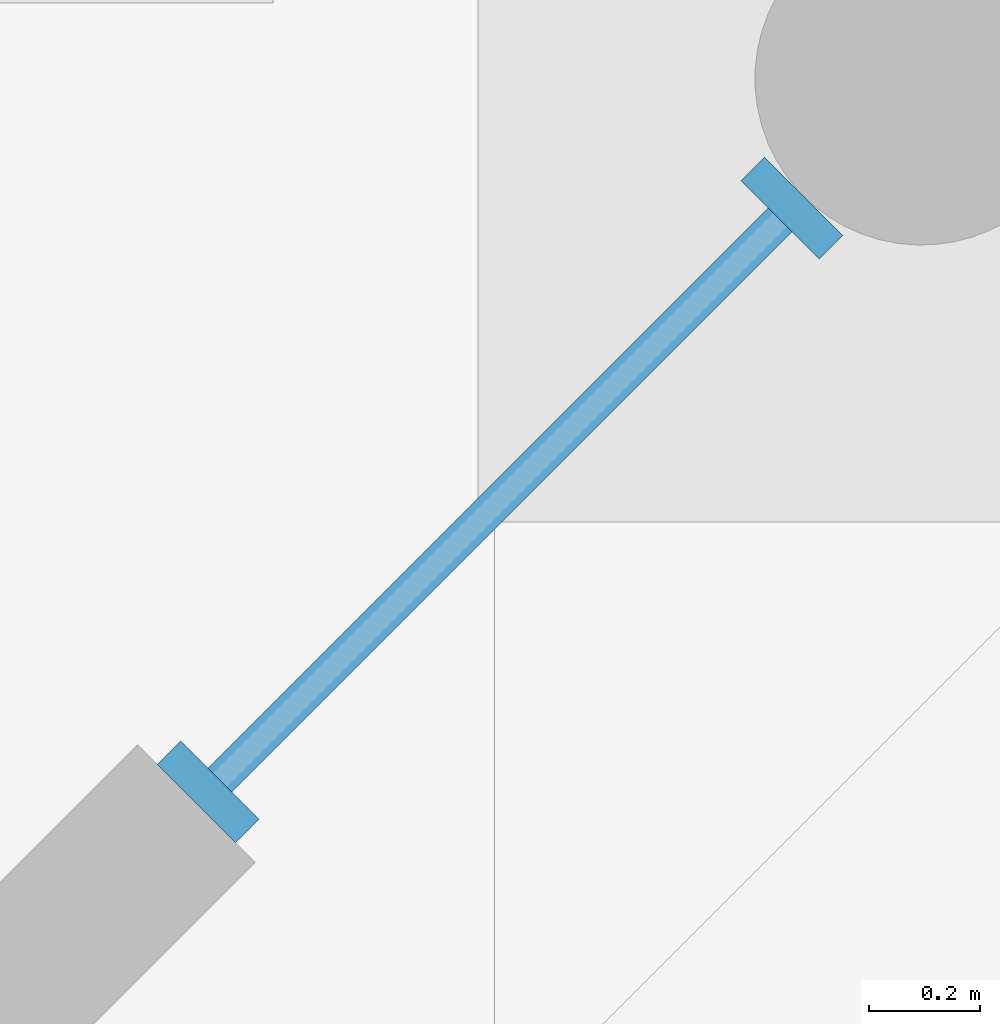
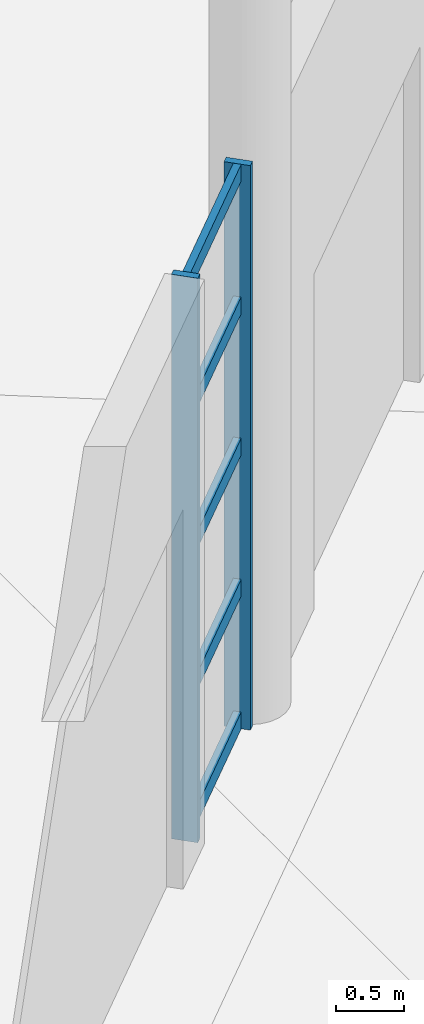
# One storey, part 35 of 255: 7 members, 1 element without a shape of its own.
"""IFC4 building model written with IfcOpenShell, lengths in metres."""

from ifc_helpers import new_model, si_unit, direction, frame, origin, origin_2d, place, context, subcontext, project, spatial, rectangle, extrude, material, layer, layer_set, material_profile, profile_set, type_object, element, aggregate, save


model = new_model("IFC4")

# Units and contexts
model_context = context("Model", 3, precision=1e-05, world=origin(), true_north=direction((0.0, 1.0)))
body_context = subcontext(model_context, "Body", "Model", "MODEL_VIEW")
ifc_project = project(units=[si_unit("LENGTHUNIT", "METRE"), si_unit("AREAUNIT", "SQUARE_METRE"), si_unit("VOLUMEUNIT", "CUBIC_METRE"), si_unit("PLANEANGLEUNIT", "RADIAN"), si_unit("MASSUNIT", "GRAM", prefix="KILO")], contexts=[model_context])

# Site, building, storey
site_placement = place(None, origin())
site = spatial("IfcSite", under=ifc_project, at=site_placement, CompositionType="ELEMENT")
building_placement = place(site_placement, origin())
building = spatial("IfcBuilding", under=site, at=building_placement, Name="Meseta Stadium", CompositionType="ELEMENT")
storey_placement = place(building_placement, origin())
storey = spatial("IfcBuildingStorey", under=building, at=storey_placement, Name="L00", CompositionType="ELEMENT", Elevation=0.0)

# Curtain wall, members
ifc_material_1 = material(Name="Aluminium", Category="aluminium")
ifc_layer = layer(ifc_material_1, 0.199951171875)
ifc_layer_set = layer_set([ifc_layer], Name="Gate hall curtain wall")
curtain_wall_type = type_object("IfcCurtainWallType", Name="Gate hall curtain wall", PredefinedType="NOTDEFINED", material=ifc_layer_set)
curtain_wall_placement = place(storey_placement, origin())
curtain_wall = element("IfcCurtainWall", 1, at=curtain_wall_placement, inside=storey, type_object=curtain_wall_type, Name="Gate 8 glazing", PredefinedType="NOTDEFINED")
ifc_material_2 = material(Name="Aluminium", Category="aluminium")
ifc_material_profile_1 = material_profile(ifc_material_2, rectangle(XDim=0.199951171875, YDim=0.06005859375, at=origin_2d()), Name="CW 200x60")
ifc_profile_set_1 = profile_set([ifc_material_profile_1], Name="Aluminium")
member_type_1 = type_object("IfcMemberType", Name="Ring CW mullion 60x200", PredefinedType="MULLION", material=ifc_profile_set_1)
member_1_placement = place(storey_placement, frame((95.4833984375, -102.05712890625, 0.0), z_axis=(0.0, 0.0, 1.0), x_axis=(-0.707106781187, 0.707106781187, 0.0)))
member_1 = element("IfcMember", 2, at=member_1_placement, type_object=member_type_1, Name="CWG1 mullion 1", PredefinedType="MULLION", context=body_context, shape_type="SweptSolid", body=[
    extrude(rectangle(XDim=0.199951171875, YDim=0.06005859375, at=origin_2d()), origin(), (0.0, 0.0, 1.0), 5.050048828125),
])
member_2_placement = place(storey_placement, frame((96.536865234375, -101.003662109375, 0.0), z_axis=(0.0, 0.0, 1.0), x_axis=(-0.707106781187, 0.707106781187, 0.0)))
member_2 = element("IfcMember", 3, at=member_2_placement, type_object=member_type_1, Name="CWG1 mullion 2", PredefinedType="MULLION", context=body_context, shape_type="SweptSolid", body=[
    extrude(rectangle(XDim=0.199951171875, YDim=0.06005859375, at=origin_2d()), origin(), (0.0, 0.0, 1.0), 5.050048828125),
])
ifc_material_3 = material(Name="Aluminium", Category="aluminium")
ifc_material_profile_2 = material_profile(ifc_material_3, rectangle(XDim=0.06005859375, YDim=0.14990234375, at=origin_2d()), Name="CW 60x150")
ifc_profile_set_2 = profile_set([ifc_material_profile_2], Name="Aluminium")
member_type_2 = type_object("IfcMemberType", Name="Ring CW transom 60x150", PredefinedType="USERDEFINED", material=ifc_profile_set_2)
member_3_placement = place(storey_placement, frame((95.504638671875, -102.035888671875, 0.074951171875), z_axis=(0.707106781187, 0.707106781187, 0.0), x_axis=(-0.707106781187, 0.707106781187, 0.0)))
member_3 = element("IfcMember", 4, at=member_3_placement, type_object=member_type_2, Name="CWG1 transom 1.1", ObjectType="TRANSOM", PredefinedType="USERDEFINED", context=body_context, shape_type="SweptSolid", body=[
    extrude(rectangle(XDim=0.06005859375, YDim=0.14990234375, at=origin_2d()), origin(), (0.0, 0.0, 1.0), 1.4296875),
])
member_4_placement = place(storey_placement, frame((95.504638671875, -102.035888671875, 1.262451171875), z_axis=(0.707106781187, 0.707106781187, 0.0), x_axis=(-0.707106781187, 0.707106781187, 0.0)))
member_4 = element("IfcMember", 5, at=member_4_placement, type_object=member_type_2, Name="CWG1 transom 1.2", ObjectType="TRANSOM", PredefinedType="USERDEFINED", context=body_context, shape_type="SweptSolid", body=[
    extrude(rectangle(XDim=0.06005859375, YDim=0.14990234375, at=origin_2d()), origin(), (0.0, 0.0, 1.0), 1.4296875),
])
member_5_placement = place(storey_placement, frame((95.504638671875, -102.035888671875, 2.52490234375), z_axis=(0.707106781187, 0.707106781187, 0.0), x_axis=(-0.707106781187, 0.707106781187, 0.0)))
member_5 = element("IfcMember", 6, at=member_5_placement, type_object=member_type_2, Name="CWG1 transom 1.3", ObjectType="TRANSOM", PredefinedType="USERDEFINED", context=body_context, shape_type="SweptSolid", body=[
    extrude(rectangle(XDim=0.06005859375, YDim=0.14990234375, at=origin_2d()), origin(), (0.0, 0.0, 1.0), 1.4296875),
])
member_6_placement = place(storey_placement, frame((95.504638671875, -102.035888671875, 3.78759765625), z_axis=(0.707106781187, 0.707106781187, 0.0), x_axis=(-0.707106781187, 0.707106781187, 0.0)))
member_6 = element("IfcMember", 7, at=member_6_placement, type_object=member_type_2, Name="CWG1 transom 1.4", ObjectType="TRANSOM", PredefinedType="USERDEFINED", context=body_context, shape_type="SweptSolid", body=[
    extrude(rectangle(XDim=0.06005859375, YDim=0.14990234375, at=origin_2d()), origin(), (0.0, 0.0, 1.0), 1.4296875),
])
member_7_placement = place(storey_placement, frame((95.504638671875, -102.035888671875, 4.97509765625), z_axis=(0.707106781187, 0.707106781187, 0.0), x_axis=(-0.707106781187, 0.707106781187, 0.0)))
member_7 = element("IfcMember", 8, at=member_7_placement, type_object=member_type_2, Name="CWG1 transom 1.5", ObjectType="TRANSOM", PredefinedType="USERDEFINED", context=body_context, shape_type="SweptSolid", body=[
    extrude(rectangle(XDim=0.06005859375, YDim=0.14990234375, at=origin_2d()), origin(), (0.0, 0.0, 1.0), 1.4296875),
])
aggregate(curtain_wall, [member_1, member_2, member_3, member_4, member_5, member_6, member_7])

save(model, "model.ifc")
